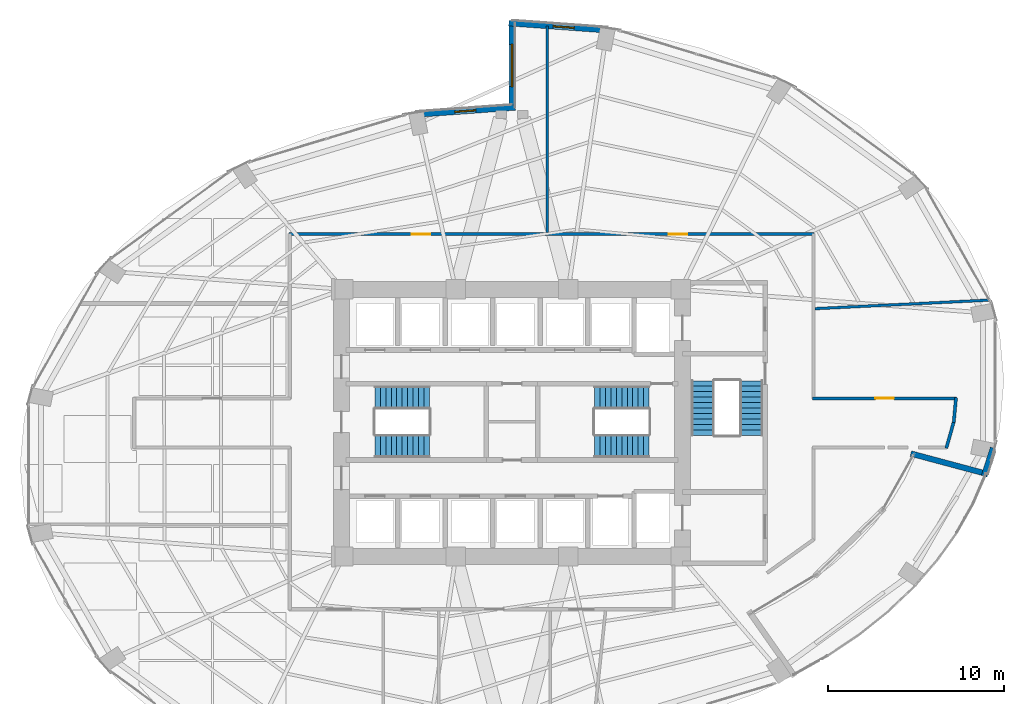
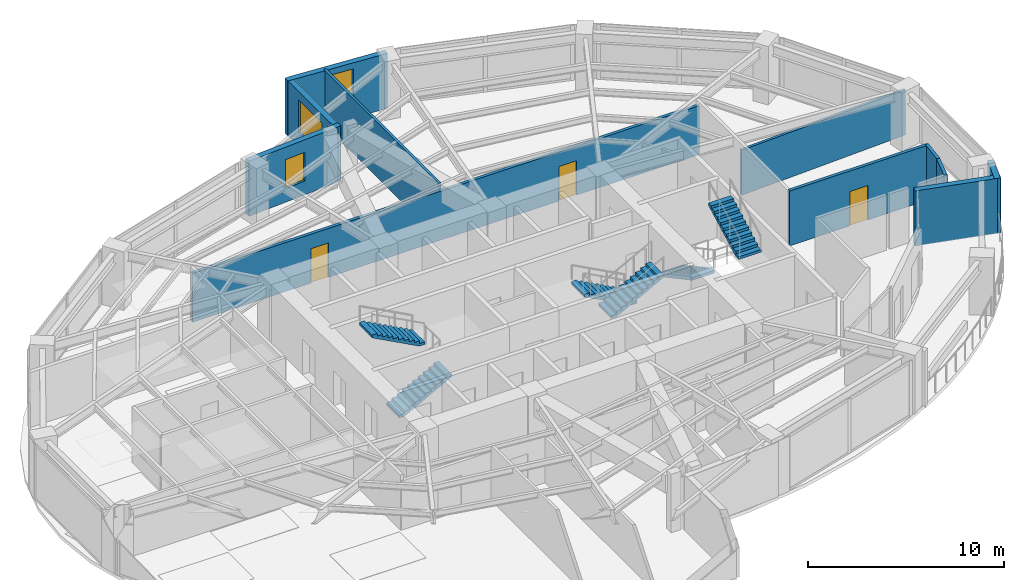
# One storey, part 22 of 24: 11 walls, 6 stair flights, 3 doors, 3 windows, 6 openings, 3 elements without a shape of their own.
"""IFC4 building model written with IfcOpenShell, lengths in metres."""

from ifc_helpers import new_model, si_unit, direction, frame, frame_2d, origin, place, context, subcontext, project, spatial, polyline, rectangle, outline, extrude, material, layer, layer_set, type_object, element, fill, aggregate, save


model = new_model("IFC4")

# Units and contexts
model_context = context("Model", 3, precision=1e-05, world=origin(), true_north=direction((0.0, 1.0)))
body_context = subcontext(model_context, "Body", "Model", "MODEL_VIEW")
ifc_project = project(units=[si_unit("LENGTHUNIT", "METRE"), si_unit("AREAUNIT", "SQUARE_METRE"), si_unit("VOLUMEUNIT", "CUBIC_METRE"), si_unit("PLANEANGLEUNIT", "RADIAN"), si_unit("MASSUNIT", "GRAM", prefix="KILO")], contexts=[model_context])

# Site, building, storey
site_placement = place(None, origin())
site = spatial("IfcSite", under=ifc_project, at=site_placement, CompositionType="ELEMENT")
building_placement = place(site_placement, origin())
building = spatial("IfcBuilding", under=site, at=building_placement, Name="Lazwardi Medical Tower", CompositionType="ELEMENT")
storey_placement = place(building_placement, frame((0.0, 0.0, 58.031982421875)))
storey = spatial("IfcBuildingStorey", under=building, at=storey_placement, Name="L14", CompositionType="ELEMENT", Elevation=58.031982421875)

# Wall, openings, doors
ifc_material_1 = material(Name="Fire-rated gypsum board on steel stud", Category="steel")
ifc_layer_1 = layer(ifc_material_1, 0.179931640625)
ifc_layer_set_1 = layer_set([ifc_layer_1], Name="Fire-rated gypsum board on steel stud")
wall_type_1 = type_object("IfcWallType", Name="WL-COR-180", PredefinedType="PARTITIONING", material=ifc_layer_set_1)
wall_1_placement = place(storey_placement, frame((23.31005859375, 38.75, 0.0), z_axis=(0.0, 0.0, 1.0), x_axis=(1.0, 0.0, 0.0)))
wall_1 = element("IfcWall", 1, at=wall_1_placement, inside=storey, type_object=wall_type_1, Name="L14 Corridor partition 4", PredefinedType="PARTITIONING", context=body_context, shape_type="SweptSolid", body=[
    extrude(rectangle(XDim=29.8798828125, YDim=0.179931640625, at=frame_2d((14.93994140625, 0.0))), origin(), (0.0, 0.0, 1.0), 3.052978515625),
])
opening_1_placement = place(wall_1_placement, frame((21.60107421875, 0.0, 0.0)))
opening_1 = element("IfcOpeningElement", 2, at=opening_1_placement, cuts=wall_1, Name="Opening D-L14-012", PredefinedType="OPENING", context=body_context, shape_type="SweptSolid", body=[
    extrude(rectangle(XDim=1.050048828125, YDim=2.14990234375, at=frame_2d((0.52490234375, 1.074951171875))), frame((0.0, 0.099853515625, 0.0), z_axis=(0.0, -1.0, 0.0), x_axis=(1.0, 0.0, 0.0)), (0.0, 0.0, 1.0), 0.199951171875),
])
opening_2_placement = place(wall_1_placement, frame((6.97900390625, 0.0, 0.0)))
opening_2 = element("IfcOpeningElement", 3, at=opening_2_placement, cuts=wall_1, Name="Opening D-L14-013", PredefinedType="OPENING", context=body_context, shape_type="SweptSolid", body=[
    extrude(rectangle(XDim=1.050048828125, YDim=2.14990234375, at=frame_2d((0.52490234375, 1.074951171875))), frame((0.0, 0.099853515625, 0.0), z_axis=(0.0, -1.0, 0.0), x_axis=(1.0, 0.0, 0.0)), (0.0, 0.0, 1.0), 0.199951171875),
])
ifc_material_2 = material(Name="Anti-microbial laminate hospital leaf")
door_type = type_object("IfcDoorType", Name="DR-CLN-1050", OperationType="NOTDEFINED", PredefinedType="DOOR", material=ifc_material_2)
door_1_placement = place(opening_1_placement, origin())
door_1 = element("IfcDoor", 4, at=door_1_placement, inside=storey, type_object=door_type, Name="L14 Clinical Specialist Office Door 06", OperationType="SINGLE_SWING_RIGHT", OverallHeight=2.14990234375, OverallWidth=1.050048828125, PredefinedType="DOOR", context=body_context, shape_type="SweptSolid", body=[
    extrude(rectangle(XDim=1.050048828125, YDim=2.14990234375, at=frame_2d((0.52490234375, 1.074951171875))), frame((0.0, 0.02490234375, 0.0), z_axis=(0.0, -1.0, 0.0), x_axis=(1.0, 0.0, 0.0)), (0.0, 0.0, 1.0), 0.050048828125),
])
fill(opening_1, door_1)
door_2_placement = place(opening_2_placement, origin())
door_2 = element("IfcDoor", 5, at=door_2_placement, inside=storey, type_object=door_type, Name="L14 Clinical Specialist Office Door 07", OperationType="SINGLE_SWING_LEFT", OverallHeight=2.14990234375, OverallWidth=1.050048828125, PredefinedType="DOOR", context=body_context, shape_type="SweptSolid", body=[
    extrude(rectangle(XDim=1.050048828125, YDim=2.14990234375, at=frame_2d((0.52490234375, 1.074951171875))), frame((0.0, 0.02490234375, 0.0), z_axis=(0.0, -1.0, 0.0), x_axis=(1.0, 0.0, 0.0)), (0.0, 0.0, 1.0), 0.050048828125),
])
fill(opening_2, door_2)

# Wall, opening, door
wall_2_placement = place(storey_placement, frame((53.110107421875, 29.39990234375, 0.0), z_axis=(0.0, 0.0, 1.0), x_axis=(1.0, 0.0, 0.0)))
wall_2 = element("IfcWall", 6, at=wall_2_placement, inside=storey, type_object=wall_type_1, Name="L14 Corridor partition 6", PredefinedType="PARTITIONING", context=body_context, shape_type="SweptSolid", body=[
    extrude(rectangle(XDim=8.19677734375, YDim=0.179931640625, at=frame_2d((4.098388671875, 0.0))), origin(), (0.0, 0.0, 1.0), 3.427978515625),
])
opening_3_placement = place(wall_2_placement, frame((3.573486328125, 0.0, 0.0)))
opening_3 = element("IfcOpeningElement", 7, at=opening_3_placement, cuts=wall_2, Name="Opening D-L14-011", PredefinedType="OPENING", context=body_context, shape_type="SweptSolid", body=[
    extrude(rectangle(XDim=1.050048828125, YDim=2.14990234375, at=frame_2d((0.52490234375, 1.074951171875))), frame((0.0, 0.099853515625, 0.0), z_axis=(0.0, -1.0, 0.0), x_axis=(1.0, 0.0, 0.0)), (0.0, 0.0, 1.0), 0.199951171875),
])
door_3_placement = place(opening_3_placement, origin())
door_3 = element("IfcDoor", 8, at=door_3_placement, inside=storey, type_object=door_type, Name="L14 Clinical Specialist Office Door 05", OperationType="SINGLE_SWING_LEFT", OverallHeight=2.14990234375, OverallWidth=1.050048828125, PredefinedType="DOOR", context=body_context, shape_type="SweptSolid", body=[
    extrude(rectangle(XDim=1.050048828125, YDim=2.14990234375, at=frame_2d((0.52490234375, 1.074951171875))), frame((0.0, 0.02490234375, 0.0), z_axis=(0.0, -1.0, 0.0), x_axis=(1.0, 0.0, 0.0)), (0.0, 0.0, 1.0), 0.050048828125),
])
fill(opening_3, door_3)

# Walls
wall_3_placement = place(storey_placement, frame((61.2705078125, 29.439697265625, 0.0), z_axis=(0.0, 0.0, 1.0), x_axis=(-0.092539930621, -0.995708974169, 0.0)))
element("IfcWall", 9, at=wall_3_placement, inside=storey, type_object=wall_type_1, Name="L14 Corridor partition 7", PredefinedType="PARTITIONING", context=body_context, shape_type="SweptSolid", body=[
    extrude(rectangle(XDim=1.416748046875, YDim=0.179931640625, at=frame_2d((0.70849609375, 0.0))), origin(), (0.0, 0.0, 1.0), 3.427978515625),
])
wall_4_placement = place(storey_placement, frame((61.15380859375, 28.107421875, 0.0), z_axis=(0.0, 0.0, 1.0), x_axis=(-0.271748942561, -0.962368179138, 0.0)))
element("IfcWall", 10, at=wall_4_placement, inside=storey, type_object=wall_type_1, Name="L14 Corridor partition 8", PredefinedType="PARTITIONING", context=body_context, shape_type="SweptSolid", body=[
    extrude(rectangle(XDim=1.6064453125, YDim=0.179931640625, at=frame_2d((0.80322265625, 0.0))), origin(), (0.0, 0.0, 1.0), 3.427978515625),
])

# Wall, opening, window
ifc_material_3 = material(Name="Precast concrete C45/55", Category="concrete")
ifc_layer_2 = layer(ifc_material_3, 0.320068359375)
ifc_layer_set_2 = layer_set([ifc_layer_2], Name="Precast concrete C45/55")
wall_type_2 = type_object("IfcWallType", Name="WL-IWAN-320", PredefinedType="SOLIDWALL", material=ifc_layer_set_2)
wall_5_placement = place(storey_placement, frame((41.481201171875, 50.345703125, 0.0), z_axis=(0.0, 0.0, 1.0), x_axis=(-0.997422321809, 0.071754525696, 0.0)))
wall_5 = element("IfcWall", 11, at=wall_5_placement, inside=storey, type_object=wall_type_2, Name="L14 Iwan Portal Return Wall NE_ret", PredefinedType="SOLIDWALL", context=body_context, shape_type="SweptSolid", body=[
    extrude(rectangle(XDim=5.67529296875, YDim=0.320068359375, at=frame_2d((2.837646484375, 0.0))), origin(), (0.0, 0.0, 1.0), 3.427978515625),
])
opening_4_placement = place(wall_5_placement, frame((1.94921875, 0.0, 0.85009765625)))
opening_4 = element("IfcOpeningElement", 12, at=opening_4_placement, cuts=wall_5, Name="Opening WN-01", PredefinedType="OPENING", context=body_context, shape_type="SweptSolid", body=[
    extrude(rectangle(XDim=1.199951171875, YDim=2.199951171875, at=frame_2d((0.60009765625, 1.10009765625))), frame((0.0, 0.169921875, 0.0), z_axis=(0.0, -1.0, 0.0), x_axis=(1.0, 0.0, 0.0)), (0.0, 0.0, 1.0), 0.340087890625),
])
ifc_material_4 = material(Name="Low-e bronze solar control double glazing", Category="glass")
window_type_1 = type_object("IfcWindowType", Name="WIN-IW-1200", PartitioningType="SINGLE_PANEL", PredefinedType="WINDOW", material=ifc_material_4)
window_1_placement = place(opening_4_placement, origin())
window_1 = element("IfcWindow", 13, at=window_1_placement, inside=storey, type_object=window_type_1, Name="L14 Iwan Slot Window NE_ret", OverallHeight=2.199951171875, OverallWidth=1.199951171875, PartitioningType="SINGLE_PANEL", PredefinedType="WINDOW", context=body_context, shape_type="SweptSolid", body=[
    extrude(rectangle(XDim=1.199951171875, YDim=2.199951171875, at=frame_2d((0.60009765625, 1.10009765625))), frame((0.0, 0.030029296875, 0.0), z_axis=(0.0, -1.0, 0.0), x_axis=(1.0, 0.0, 0.0)), (0.0, 0.0, 1.0), 0.06005859375),
])
fill(opening_4, window_1)

wall_6_placement = place(storey_placement, frame((36.178955078125, 45.952880859375, 0.0), z_axis=(0.0, 0.0, 1.0), x_axis=(-0.997421878774, -0.071760683825, 0.0)))
wall_6 = element("IfcWall", 14, at=wall_6_placement, inside=storey, type_object=wall_type_2, Name="L14 Iwan Portal Return Wall NW_ret", PredefinedType="SOLIDWALL", context=body_context, shape_type="SweptSolid", body=[
    extrude(rectangle(XDim=5.6748046875, YDim=0.320068359375, at=frame_2d((2.83740234375, 0.0))), origin(), (0.0, 0.0, 1.0), 3.427978515625),
])
opening_5_placement = place(wall_6_placement, frame((2.2373046875, 0.0, 0.85009765625)))
opening_5 = element("IfcOpeningElement", 15, at=opening_5_placement, cuts=wall_6, Name="Opening WN-04", PredefinedType="OPENING", context=body_context, shape_type="SweptSolid", body=[
    extrude(rectangle(XDim=1.199951171875, YDim=1.800048828125, at=frame_2d((0.60009765625, 0.89990234375))), frame((0.0, 0.169921875, 0.0), z_axis=(0.0, -1.0, 0.0), x_axis=(1.0, 0.0, 0.0)), (0.0, 0.0, 1.0), 0.340087890625),
])
window_type_2 = type_object("IfcWindowType", Name="WIN-DRUM-1200", PartitioningType="SINGLE_PANEL", PredefinedType="WINDOW", material=ifc_material_4)
window_2_placement = place(opening_5_placement, origin())
window_2 = element("IfcWindow", 16, at=window_2_placement, inside=storey, type_object=window_type_2, Name="L14 Iwan Slot Window NW_ret", OverallHeight=1.800048828125, OverallWidth=1.199951171875, PartitioningType="SINGLE_PANEL", PredefinedType="WINDOW", context=body_context, shape_type="SweptSolid", body=[
    extrude(rectangle(XDim=1.199951171875, YDim=1.800048828125, at=frame_2d((0.60009765625, 0.89990234375))), frame((0.0, 0.030029296875, 0.0), z_axis=(0.0, -1.0, 0.0), x_axis=(1.0, 0.0, 0.0)), (0.0, 0.0, 1.0), 0.06005859375),
])
fill(opening_5, window_2)

wall_7_placement = place(storey_placement, frame((36.0, 50.89990234375, 0.0), z_axis=(0.0, 0.0, 1.0), x_axis=(0.0, -1.0, 0.0)))
wall_7 = element("IfcWall", 17, at=wall_7_placement, inside=storey, type_object=wall_type_2, Name="L14 Turquoise Tilework Iwan Seam Wall N_seam", PredefinedType="SOLIDWALL", context=body_context, shape_type="SweptSolid", body=[
    extrude(rectangle(XDim=5.119873046875, YDim=0.320068359375, at=frame_2d((2.56005859375, 0.0))), origin(), (0.0, 0.0, 1.0), 3.427978515625),
])
opening_6_placement = place(wall_7_placement, frame((1.360107421875, 0.0, 0.840087890625)))
opening_6 = element("IfcOpeningElement", 18, at=opening_6_placement, cuts=wall_7, Name="Opening WN-02", PredefinedType="OPENING", context=body_context, shape_type="SweptSolid", body=[
    extrude(rectangle(XDim=2.39990234375, YDim=2.0400390625, at=frame_2d((1.199951171875, 1.02001953125))), frame((0.0, 0.169921875, 0.0), z_axis=(0.0, -1.0, 0.0), x_axis=(1.0, 0.0, 0.0)), (0.0, 0.0, 1.0), 0.340087890625),
])
window_type_3 = type_object("IfcWindowType", Name="WIN-IW-2400", PartitioningType="SINGLE_PANEL", PredefinedType="WINDOW", material=ifc_material_4)
window_3_placement = place(opening_6_placement, origin())
window_3 = element("IfcWindow", 19, at=window_3_placement, inside=storey, type_object=window_type_3, Name="L14 Iwan Seam Window N_seam", OverallHeight=2.0400390625, OverallWidth=2.39990234375, PartitioningType="SINGLE_PANEL", PredefinedType="WINDOW", context=body_context, shape_type="SweptSolid", body=[
    extrude(rectangle(XDim=2.39990234375, YDim=2.0400390625, at=frame_2d((1.199951171875, 1.02001953125))), frame((0.0, 0.030029296875, 0.0), z_axis=(0.0, -1.0, 0.0), x_axis=(1.0, 0.0, 0.0)), (0.0, 0.0, 1.0), 0.06005859375),
])
fill(opening_6, window_3)

# Walls
wall_8_placement = place(storey_placement, frame((63.084716796875, 25.083984375, 0.0), z_axis=(0.0, 0.0, 1.0), x_axis=(-0.965941571447, 0.258760276223, 0.0)))
element("IfcWall", 20, at=wall_8_placement, inside=storey, type_object=wall_type_2, Name="L14 Sky Garden SG1 Flank Wall S1", PredefinedType="SOLIDWALL", context=body_context, shape_type="SweptSolid", body=[
    extrude(rectangle(XDim=4.5400390625, YDim=0.320068359375, at=frame_2d((2.27001953125, 0.0))), origin(), (0.0, 0.0, 1.0), 3.427978515625),
])
wall_9_placement = place(storey_placement, frame((62.862060546875, 24.97802734375, 0.0), z_axis=(0.0, 0.0, 1.0), x_axis=(0.303964491771, 0.952683361743, 0.0)))
element("IfcWall", 21, at=wall_9_placement, inside=storey, type_object=wall_type_2, Name="L14 Sky Garden SG1 Jamb Return Wall", PredefinedType="SOLIDWALL", context=body_context, shape_type="SweptSolid", body=[
    extrude(rectangle(XDim=1.681884765625, YDim=0.320068359375, at=frame_2d((0.8408203125, 0.0))), origin(), (0.0, 0.0, 1.0), 3.427978515625),
])
ifc_material_5 = material(Name="Acoustic gypsum board partition")
ifc_layer_3 = layer(ifc_material_5, 0.14990234375)
ifc_layer_set_3 = layer_set([ifc_layer_3], Name="Acoustic gypsum board partition")
wall_type_3 = type_object("IfcWallType", Name="WL-WRD-150", PredefinedType="PARTITIONING", material=ifc_layer_set_3)
wall_10_placement = place(storey_placement, frame((53.239990234375, 34.503662109375, 0.0), z_axis=(0.0, 0.0, 1.0), x_axis=(0.998798003682, 0.049015791742, 0.0)))
element("IfcWall", 22, at=wall_10_placement, inside=storey, type_object=wall_type_3, Name="L14 Room partition 3", PredefinedType="PARTITIONING", context=body_context, shape_type="SweptSolid", body=[
    extrude(rectangle(XDim=9.94677734375, YDim=0.14990234375, at=frame_2d((4.973388671875, 0.0))), origin(), (0.0, 0.0, 1.0), 2.81298828125),
])
wall_11_placement = place(storey_placement, frame((38.0, 38.840087890625, 0.0), z_axis=(0.0, 0.0, 1.0), x_axis=(0.0, 1.0, 0.0)))
element("IfcWall", 23, at=wall_11_placement, inside=storey, type_object=wall_type_3, Name="L14 Room partition 4", PredefinedType="PARTITIONING", context=body_context, shape_type="SweptSolid", body=[
    extrude(rectangle(XDim=11.743408203125, YDim=0.14990234375, at=frame_2d((5.87158203125, 0.0))), origin(), (0.0, 0.0, 1.0), 3.427978515625),
])

# Stair, stair flights
ifc_material_6 = material(Name="Concrete C45/55", Category="concrete")
stair_type = type_object("IfcStairType", Name="STR-WRD", PredefinedType="HALF_TURN_STAIR", material=ifc_material_6)
stair_1_placement = place(storey_placement, origin())
stair_1 = element("IfcStair", 24, at=stair_1_placement, inside=storey, type_object=stair_type, Name="L14 Protected Exit Stair ST1", PredefinedType="HALF_TURN_STAIR")
stair_flight_type = type_object("IfcStairFlightType", Name="FLT-WRD", PredefinedType="STRAIGHT", material=ifc_material_6)
stair_flight_1_placement = place(storey_placement, frame((28.199951171875, 26.679931640625, 0.0), z_axis=(0.0, 0.0, 1.0), x_axis=(1.0, 0.0, 0.0)))
stair_flight_1 = element("IfcStairFlight", 25, at=stair_flight_1_placement, type_object=stair_flight_type, Name="ST1 flight 1", NumberOfRisers=11, NumberOfTreads=10, PredefinedType="STRAIGHT", RiserHeight=0.165818182, TreadLength=0.31, context=body_context, shape_type="SweptSolid", body=[
    extrude(outline(polyline([(0.0, 0.0), (0.0, 0.165771484375), (0.31005859375, 0.165771484375), (0.31005859375, 0.33154296875), (0.6201171875, 0.33154296875), (0.6201171875, 0.49755859375), (0.929931640625, 0.49755859375), (0.929931640625, 0.663330078125), (1.239990234375, 0.663330078125), (1.239990234375, 0.8291015625), (1.550048828125, 0.8291015625), (1.550048828125, 0.994873046875), (1.860107421875, 0.994873046875), (1.860107421875, 1.16064453125), (2.169921875, 1.16064453125), (2.169921875, 1.32666015625), (2.47998046875, 1.32666015625), (2.47998046875, 1.492431640625), (2.7900390625, 1.492431640625), (2.7900390625, 1.658203125), (3.10009765625, 1.658203125), (3.10009765625, 1.823974609375), (3.10009765625, 1.48828125), (0.31787109375, 0.0), (0.0, 0.0)])), frame((0.0, 0.66015625, 0.0), z_axis=(0.0, -1.0, 0.0), x_axis=(1.0, 0.0, 0.0)), (0.0, 0.0, 1.0), 1.320068359375),
])
stair_flight_2_placement = place(storey_placement, frame((31.300048828125, 29.43994140625, 1.823974609375), z_axis=(0.0, 0.0, 1.0), x_axis=(-1.0, 0.0, 0.0)))
stair_flight_2 = element("IfcStairFlight", 26, at=stair_flight_2_placement, type_object=stair_flight_type, Name="ST1 flight 2", NumberOfRisers=11, NumberOfTreads=10, PredefinedType="STRAIGHT", RiserHeight=0.165818182, TreadLength=0.31, context=body_context, shape_type="SweptSolid", body=[
    extrude(outline(polyline([(0.0, 0.0), (0.0, 0.165771484375), (0.31005859375, 0.165771484375), (0.31005859375, 0.33154296875), (0.6201171875, 0.33154296875), (0.6201171875, 0.49755859375), (0.929931640625, 0.49755859375), (0.929931640625, 0.663330078125), (1.239990234375, 0.663330078125), (1.239990234375, 0.8291015625), (1.550048828125, 0.8291015625), (1.550048828125, 0.994873046875), (1.860107421875, 0.994873046875), (1.860107421875, 1.16064453125), (2.169921875, 1.16064453125), (2.169921875, 1.32666015625), (2.47998046875, 1.32666015625), (2.47998046875, 1.492431640625), (2.7900390625, 1.492431640625), (2.7900390625, 1.658203125), (3.10009765625, 1.658203125), (3.10009765625, 1.823974609375), (3.10009765625, 1.48828125), (0.31787109375, 0.0), (0.0, 0.0)])), frame((0.0, 0.66015625, 0.0), z_axis=(0.0, -1.0, 0.0), x_axis=(1.0, 0.0, 0.0)), (0.0, 0.0, 1.0), 1.320068359375),
])
aggregate(stair_1, [stair_flight_1, stair_flight_2])

stair_2_placement = place(storey_placement, origin())
stair_2 = element("IfcStair", 27, at=stair_2_placement, inside=storey, type_object=stair_type, Name="L14 Protected Exit Stair ST2", PredefinedType="HALF_TURN_STAIR")
stair_flight_3_placement = place(storey_placement, frame((43.800048828125, 29.43994140625, 0.0), z_axis=(0.0, 0.0, 1.0), x_axis=(-1.0, 0.0, 0.0)))
stair_flight_3 = element("IfcStairFlight", 28, at=stair_flight_3_placement, type_object=stair_flight_type, Name="ST2 flight 1", NumberOfRisers=11, NumberOfTreads=10, PredefinedType="STRAIGHT", RiserHeight=0.165818182, TreadLength=0.31, context=body_context, shape_type="SweptSolid", body=[
    extrude(outline(polyline([(0.0, 0.0), (0.0, 0.165771484375), (0.31005859375, 0.165771484375), (0.31005859375, 0.33154296875), (0.6201171875, 0.33154296875), (0.6201171875, 0.49755859375), (0.929931640625, 0.49755859375), (0.929931640625, 0.663330078125), (1.239990234375, 0.663330078125), (1.239990234375, 0.8291015625), (1.550048828125, 0.8291015625), (1.550048828125, 0.994873046875), (1.860107421875, 0.994873046875), (1.860107421875, 1.16064453125), (2.169921875, 1.16064453125), (2.169921875, 1.32666015625), (2.47998046875, 1.32666015625), (2.47998046875, 1.492431640625), (2.7900390625, 1.492431640625), (2.7900390625, 1.658203125), (3.10009765625, 1.658203125), (3.10009765625, 1.823974609375), (3.10009765625, 1.48828125), (0.31787109375, 0.0), (0.0, 0.0)])), frame((0.0, 0.66015625, 0.0), z_axis=(0.0, -1.0, 0.0), x_axis=(1.0, 0.0, 0.0)), (0.0, 0.0, 1.0), 1.320068359375),
])
stair_flight_4_placement = place(storey_placement, frame((40.699951171875, 26.679931640625, 1.823974609375), z_axis=(0.0, 0.0, 1.0), x_axis=(1.0, 0.0, 0.0)))
stair_flight_4 = element("IfcStairFlight", 29, at=stair_flight_4_placement, type_object=stair_flight_type, Name="ST2 flight 2", NumberOfRisers=11, NumberOfTreads=10, PredefinedType="STRAIGHT", RiserHeight=0.165818182, TreadLength=0.31, context=body_context, shape_type="SweptSolid", body=[
    extrude(outline(polyline([(0.0, 0.0), (0.0, 0.165771484375), (0.31005859375, 0.165771484375), (0.31005859375, 0.33154296875), (0.6201171875, 0.33154296875), (0.6201171875, 0.49755859375), (0.929931640625, 0.49755859375), (0.929931640625, 0.663330078125), (1.239990234375, 0.663330078125), (1.239990234375, 0.8291015625), (1.550048828125, 0.8291015625), (1.550048828125, 0.994873046875), (1.860107421875, 0.994873046875), (1.860107421875, 1.16064453125), (2.169921875, 1.16064453125), (2.169921875, 1.32666015625), (2.47998046875, 1.32666015625), (2.47998046875, 1.492431640625), (2.7900390625, 1.492431640625), (2.7900390625, 1.658203125), (3.10009765625, 1.658203125), (3.10009765625, 1.823974609375), (3.10009765625, 1.48828125), (0.31787109375, 0.0), (0.0, 0.0)])), frame((0.0, 0.66015625, 0.0), z_axis=(0.0, -1.0, 0.0), x_axis=(1.0, 0.0, 0.0)), (0.0, 0.0, 1.0), 1.320068359375),
])
aggregate(stair_2, [stair_flight_3, stair_flight_4])

stair_3_placement = place(storey_placement, origin())
stair_3 = element("IfcStair", 30, at=stair_3_placement, inside=storey, type_object=stair_type, Name="L14 Protected Exit Stair ST3", PredefinedType="HALF_TURN_STAIR")
stair_flight_5_placement = place(storey_placement, frame((46.860107421875, 30.39990234375, 0.0), z_axis=(0.0, 0.0, 1.0), x_axis=(0.0, -1.0, 0.0)))
stair_flight_5 = element("IfcStairFlight", 31, at=stair_flight_5_placement, type_object=stair_flight_type, Name="ST3 flight 1", NumberOfRisers=11, NumberOfTreads=10, PredefinedType="STRAIGHT", RiserHeight=0.165818182, TreadLength=0.31, context=body_context, shape_type="SweptSolid", body=[
    extrude(outline(polyline([(0.0, 0.0), (0.0, 0.165771484375), (0.31005859375, 0.165771484375), (0.31005859375, 0.33154296875), (0.6201171875, 0.33154296875), (0.6201171875, 0.49755859375), (0.929931640625, 0.49755859375), (0.929931640625, 0.663330078125), (1.239990234375, 0.663330078125), (1.239990234375, 0.8291015625), (1.550048828125, 0.8291015625), (1.550048828125, 0.994873046875), (1.860107421875, 0.994873046875), (1.860107421875, 1.16064453125), (2.169921875, 1.16064453125), (2.169921875, 1.32666015625), (2.47998046875, 1.32666015625), (2.47998046875, 1.492431640625), (2.7900390625, 1.492431640625), (2.7900390625, 1.658203125), (3.10009765625, 1.658203125), (3.10009765625, 1.823974609375), (3.10009765625, 1.48828125), (0.31787109375, 0.0), (0.0, 0.0)])), frame((0.0, 0.66015625, 0.0), z_axis=(0.0, -1.0, 0.0), x_axis=(1.0, 0.0, 0.0)), (0.0, 0.0, 1.0), 1.320068359375),
])
stair_flight_6_placement = place(storey_placement, frame((49.6201171875, 27.300048828125, 1.823974609375), z_axis=(0.0, 0.0, 1.0), x_axis=(0.0, 1.0, 0.0)))
stair_flight_6 = element("IfcStairFlight", 32, at=stair_flight_6_placement, type_object=stair_flight_type, Name="ST3 flight 2", NumberOfRisers=11, NumberOfTreads=10, PredefinedType="STRAIGHT", RiserHeight=0.165818182, TreadLength=0.31, context=body_context, shape_type="SweptSolid", body=[
    extrude(outline(polyline([(0.0, 0.0), (0.0, 0.165771484375), (0.31005859375, 0.165771484375), (0.31005859375, 0.33154296875), (0.6201171875, 0.33154296875), (0.6201171875, 0.49755859375), (0.929931640625, 0.49755859375), (0.929931640625, 0.663330078125), (1.239990234375, 0.663330078125), (1.239990234375, 0.8291015625), (1.550048828125, 0.8291015625), (1.550048828125, 0.994873046875), (1.860107421875, 0.994873046875), (1.860107421875, 1.16064453125), (2.169921875, 1.16064453125), (2.169921875, 1.32666015625), (2.47998046875, 1.32666015625), (2.47998046875, 1.492431640625), (2.7900390625, 1.492431640625), (2.7900390625, 1.658203125), (3.10009765625, 1.658203125), (3.10009765625, 1.823974609375), (3.10009765625, 1.48828125), (0.31787109375, 0.0), (0.0, 0.0)])), frame((0.0, 0.66015625, 0.0), z_axis=(0.0, -1.0, 0.0), x_axis=(1.0, 0.0, 0.0)), (0.0, 0.0, 1.0), 1.320068359375),
])
aggregate(stair_3, [stair_flight_5, stair_flight_6])

save(model, "model.ifc")
